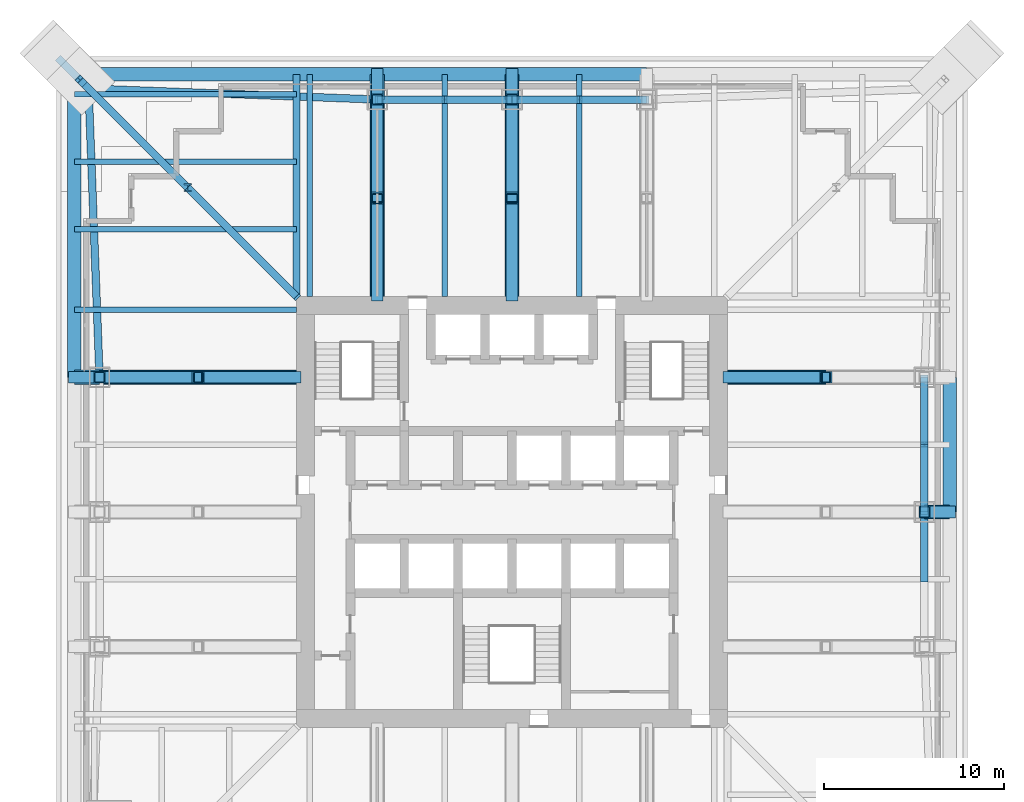
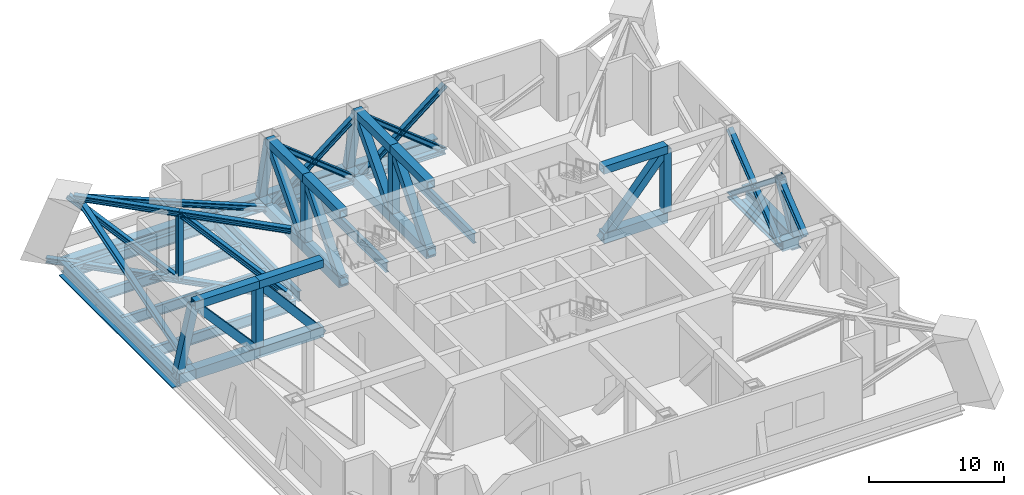
# One storey, part 3 of 10: 58 members, 13 beams.
"""IFC4 building model written with IfcOpenShell, lengths in metres."""

from ifc_helpers import new_model, si_unit, direction, frame, origin, origin_2d, place, context, subcontext, project, spatial, hollow_rectangle, i_section, extrude, clip, halfspace, material, material_profile, profile_set, type_object, element, save


model = new_model("IFC4")

# Units and contexts
model_context = context("Model", 3, precision=1e-05, world=origin(), true_north=direction((0.0, 1.0)))
body_context = subcontext(model_context, "Body", "Model", "MODEL_VIEW")
ifc_project = project(units=[si_unit("LENGTHUNIT", "METRE"), si_unit("AREAUNIT", "SQUARE_METRE"), si_unit("VOLUMEUNIT", "CUBIC_METRE"), si_unit("PLANEANGLEUNIT", "RADIAN"), si_unit("MASSUNIT", "GRAM", prefix="KILO")], contexts=[model_context])

# Site, building, storey
site_placement = place(None, origin())
site = spatial("IfcSite", under=ifc_project, at=site_placement, CompositionType="ELEMENT")
building_placement = place(site_placement, origin())
building = spatial("IfcBuilding", under=site, at=building_placement, Name="Tarangal Relay Tower", CompositionType="ELEMENT")
storey_placement = place(building_placement, frame((0.0, 0.0, 98.39990234375)))
storey = spatial("IfcBuildingStorey", under=building, at=storey_placement, Name="L19", CompositionType="ELEMENT", Elevation=98.39990234375)

# Members
ifc_material_1 = material(Name="Steel ASTM A992", Category="steel")
ifc_material_profile_1 = material_profile(ifc_material_1, i_section(OverallWidth=0.419189453125, OverallDepth=0.45458984375, WebThickness=0.042236328125, FlangeThickness=0.067626953125, at=origin_2d()), Name="W14X370")
ifc_profile_set_1 = profile_set([ifc_material_profile_1], Name="Steel ASTM A992")
member_type_1 = type_object("IfcMemberType", Name="Belt truss brace W14X370", PredefinedType="BRACE", material=ifc_profile_set_1)
for number, where, z_axis, x_axis, name in (
    (1, (-7.5, 22.965087890625, -0.699951171875), (0.782630390083, 0.0, 0.622486684612), (0.0, 1.0, 0.0), "Belt truss N L19 brace"),
    (2, (-3.75, 22.965087890625, 2.28271484375), (0.782630390083, 0.0, 0.622486684612), (0.0, 1.0, 0.0), "Belt truss N L19 brace"),
    (3, (0.0, 22.965087890625, -0.699951171875), (-0.782630390083, 0.0, 0.622486684612), (0.0, -1.0, 0.0), "Belt truss N L19 brace"),
    (4, (-3.75, 22.965087890625, 2.28271484375), (-0.782630390083, 0.0, 0.622486684612), (0.0, -1.0, 0.0), "Belt truss N L19 brace"),
    (5, (0.0, 22.965087890625, -0.699951171875), (0.782630390083, 0.0, 0.622486684612), (0.0, 1.0, 0.0), "Belt truss N L19 brace"),
    (6, (3.75, 22.965087890625, 2.28271484375), (0.782630390083, 0.0, 0.622486684612), (0.0, 1.0, 0.0), "Belt truss N L19 brace"),
    (7, (7.5, 22.965087890625, -0.699951171875), (-0.782630390083, 0.0, 0.622486684612), (0.0, -1.0, 0.0), "Belt truss N L19 brace"),
    (8, (3.75, 22.965087890625, 2.28271484375), (-0.782630390083, 0.0, 0.622486684612), (0.0, -1.0, 0.0), "Belt truss N L19 brace"),
):
    element("IfcMember", number, at=place(storey_placement, frame(where, z_axis=z_axis, x_axis=x_axis)), inside=storey, type_object=member_type_1, Name=name, PredefinedType="BRACE", context=body_context, shape_type="SweptSolid", body=[
        extrude(i_section(OverallWidth=0.419189453125, OverallDepth=0.45458984375, WebThickness=0.042236328125, FlangeThickness=0.067626953125, at=origin_2d()), origin(), (0.0, 0.0, 1.0), 4.79150390625),
    ])
member_1_placement = place(storey_placement, frame((-7.5, 22.965087890625, -0.699951171875), z_axis=(-0.931502338088, 0.035497655661, 0.36199904776), x_axis=(-0.038080321546, -0.999274681512, 0.0)))
element("IfcMember", 9, at=member_1_placement, inside=storey, type_object=member_type_1, Name="Belt truss N L19 end brace", PredefinedType="BRACE", context=body_context, shape_type="SweptSolid", body=[
    extrude(i_section(OverallWidth=0.419189453125, OverallDepth=0.45458984375, WebThickness=0.042236328125, FlangeThickness=0.067626953125, at=origin_2d()), origin(), (0.0, 0.0, 1.0), 16.478759765625),
])
for number, where, z_axis, x_axis, name in (
    (10, (22.965087890625, 7.5, -0.699951171875), (0.0, -0.782630390083, 0.622486684612), (1.0, 0.0, 0.0), "Belt truss E L19 brace"),
    (11, (22.965087890625, 3.75, 2.28271484375), (0.0, -0.782630390083, 0.622486684612), (1.0, 0.0, 0.0), "Belt truss E L19 brace"),
    (12, (22.965087890625, 0.0, -0.699951171875), (0.0, 0.782630390083, 0.622486684612), (-1.0, 0.0, 0.0), "Belt truss E L19 brace"),
    (13, (22.965087890625, 3.75, 2.28271484375), (0.0, 0.782630390083, 0.622486684612), (-1.0, 0.0, 0.0), "Belt truss E L19 brace"),
    (14, (22.965087890625, -3.75, 2.28271484375), (0.0, 0.782630390083, 0.622486684612), (-1.0, 0.0, 0.0), "Belt truss E L19 brace"),
):
    element("IfcMember", number, at=place(storey_placement, frame(where, z_axis=z_axis, x_axis=x_axis)), inside=storey, type_object=member_type_1, Name=name, PredefinedType="BRACE", context=body_context, shape_type="SweptSolid", body=[
        extrude(i_section(OverallWidth=0.419189453125, OverallDepth=0.45458984375, WebThickness=0.042236328125, FlangeThickness=0.067626953125, at=origin_2d()), origin(), (0.0, 0.0, 1.0), 4.79150390625),
    ])
member_2_placement = place(storey_placement, frame((-22.965087890625, 7.5, -0.699951171875), z_axis=(-0.035497655661, 0.931502338088, 0.36199904776), x_axis=(-0.999274681512, -0.038080321546, 0.0)))
element("IfcMember", 15, at=member_2_placement, inside=storey, type_object=member_type_1, Name="Belt truss W L19 end brace", PredefinedType="BRACE", context=body_context, shape_type="SweptSolid", body=[
    extrude(i_section(OverallWidth=0.419189453125, OverallDepth=0.45458984375, WebThickness=0.042236328125, FlangeThickness=0.067626953125, at=origin_2d()), origin(), (0.0, 0.0, 1.0), 16.478759765625),
])
ifc_material_profile_2 = material_profile(ifc_material_1, i_section(OverallWidth=0.421630859375, OverallDepth=0.46484375, WebThickness=0.044921875, FlangeThickness=0.072509765625, at=origin_2d()), Name="W14X398")
ifc_profile_set_2 = profile_set([ifc_material_profile_2], Name="Steel ASTM A992")
member_type_2 = type_object("IfcMemberType", Name="Belt truss chord W14X398", PredefinedType="CHORD", material=ifc_profile_set_2)
for number, where, z_axis, x_axis, name in (
    (16, (-7.5, 22.965087890625, -0.699951171875), (1.0, 0.0, 0.0), (0.0, 1.0, 0.0), "Belt truss N L19 bottom chord"),
    (17, (0.0, 22.965087890625, -0.699951171875), (1.0, 0.0, 0.0), (0.0, 1.0, 0.0), "Belt truss N L19 bottom chord"),
    (18, (22.965087890625, 7.5, -0.699951171875), (0.0, -1.0, 0.0), (1.0, 0.0, 0.0), "Belt truss E L19 bottom chord"),
):
    element("IfcMember", number, at=place(storey_placement, frame(where, z_axis=z_axis, x_axis=x_axis)), inside=storey, type_object=member_type_2, Name=name, PredefinedType="CHORD", context=body_context, shape_type="SweptSolid", body=[
        extrude(i_section(OverallWidth=0.421630859375, OverallDepth=0.46484375, WebThickness=0.044921875, FlangeThickness=0.072509765625, at=origin_2d()), origin(), (0.0, 0.0, 1.0), 7.5),
    ])

# Beams
ifc_material_profile_3 = material_profile(ifc_material_1, i_section(OverallWidth=0.3046875, OverallDepth=0.911865234375, WebThickness=0.015869140625, FlangeThickness=0.02392578125, at=origin_2d()), Name="W36X150")
ifc_profile_set_3 = profile_set([ifc_material_profile_3], Name="Steel ASTM A992")
beam_type_1 = type_object("IfcBeamType", Name="Corner beam W36X150", PredefinedType="JOIST", material=ifc_profile_set_3)
for number, where, z_axis, x_axis, name in (
    (19, (-12.0, 15.75, -0.705810546875), (-1.0, 0.0, 0.0), (0.0, -1.0, 0.0), "Corner beam CB7 W L19"),
    (20, (-12.0, 19.5, -0.705810546875), (-1.0, 0.0, 0.0), (0.0, -1.0, 0.0), "Corner beam CB7 W L19"),
    (21, (-12.0, 23.25, -0.705810546875), (-1.0, 0.0, 0.0), (0.0, -1.0, 0.0), "Corner beam CB7 W L19"),
):
    element("IfcBeam", number, at=place(storey_placement, frame(where, z_axis=z_axis, x_axis=x_axis)), inside=storey, type_object=beam_type_1, Name=name, PredefinedType="JOIST", context=body_context, shape_type="SweptSolid", body=[
        extrude(i_section(OverallWidth=0.3046875, OverallDepth=0.911865234375, WebThickness=0.015869140625, FlangeThickness=0.02392578125, at=origin_2d()), origin(), (0.0, 0.0, 1.0), 12.364990234375),
    ])
ifc_material_profile_4 = material_profile(ifc_material_1, i_section(OverallWidth=0.40380859375, OverallDepth=1.036376953125, WebThickness=0.031005859375, FlangeThickness=0.0458984375, at=origin_2d()), Name="W40X331")
ifc_profile_set_4 = profile_set([ifc_material_profile_4], Name="Steel ASTM A992")
beam_type_2 = type_object("IfcBeamType", Name="Corner girder W40X331", PredefinedType="BEAM", material=ifc_profile_set_4)
beam_1_placement = place(storey_placement, frame((-12.0, 12.0, -0.76806640625), z_axis=(0.0, 1.0, 0.0), x_axis=(-1.0, 0.0, 0.0)))
element("IfcBeam", 22, at=beam_1_placement, inside=storey, type_object=beam_type_2, Name="Corner girder CG2 W L19", PredefinedType="BEAM", context=body_context, shape_type="SweptSolid", body=[
    extrude(i_section(OverallWidth=0.40380859375, OverallDepth=1.036376953125, WebThickness=0.031005859375, FlangeThickness=0.0458984375, at=origin_2d()), origin(), (0.0, 0.0, 1.0), 12.364990234375),
])
ifc_material_2 = material(Name="Steel ASTM A572 Grade 50", Category="steel")
ifc_material_profile_5 = material_profile(ifc_material_2, i_section(OverallWidth=0.75, OverallDepth=1.39990234375, WebThickness=0.030029296875, FlangeThickness=0.10009765625, at=origin_2d()), Name="PG1400X750X100X30")
ifc_profile_set_5 = profile_set([ifc_material_profile_5], Name="Steel ASTM A572 Grade 50")
beam_type_3 = type_object("IfcBeamType", Name="Edge girder PG1400X750X100X30", PredefinedType="SPANDREL", material=ifc_profile_set_5)
beam_2_placement = place(storey_placement, frame((-24.35009765625, 24.364990234375, -0.949951171875), z_axis=(1.0, 0.0, 0.0), x_axis=(0.0, 1.0, 0.0)))
element("IfcBeam", 23, at=beam_2_placement, inside=storey, type_object=beam_type_3, Name="Edge girder EG11 N L19", PredefinedType="SPANDREL", context=body_context, shape_type="SweptSolid", body=[
    extrude(i_section(OverallWidth=0.75, OverallDepth=1.39990234375, WebThickness=0.030029296875, FlangeThickness=0.10009765625, at=origin_2d()), origin(), (0.0, 0.0, 1.0), 16.85009765625),
])
for number, where, z_axis, x_axis, name in (
    (24, (-7.5, 24.364990234375, -0.949951171875), (1.0, 0.0, 0.0), (0.0, 1.0, 0.0), "Edge girder EG11 N L19"),
    (25, (0.0, 24.364990234375, -0.949951171875), (1.0, 0.0, 0.0), (0.0, 1.0, 0.0), "Edge girder EG11 N L19"),
    (26, (24.364990234375, 7.5, -0.949951171875), (0.0, -1.0, 0.0), (1.0, 0.0, 0.0), "Edge girder EG11 E L19"),
):
    element("IfcBeam", number, at=place(storey_placement, frame(where, z_axis=z_axis, x_axis=x_axis)), inside=storey, type_object=beam_type_3, Name=name, PredefinedType="SPANDREL", context=body_context, shape_type="SweptSolid", body=[
        extrude(i_section(OverallWidth=0.75, OverallDepth=1.39990234375, WebThickness=0.030029296875, FlangeThickness=0.10009765625, at=origin_2d()), origin(), (0.0, 0.0, 1.0), 7.5),
    ])
beam_3_placement = place(storey_placement, frame((-24.364990234375, 7.5, -0.949951171875), z_axis=(0.0, 1.0, 0.0), x_axis=(-1.0, 0.0, 0.0)))
element("IfcBeam", 27, at=beam_3_placement, inside=storey, type_object=beam_type_3, Name="Edge girder EG11 W L19", PredefinedType="SPANDREL", context=body_context, shape_type="SweptSolid", body=[
    extrude(i_section(OverallWidth=0.75, OverallDepth=1.39990234375, WebThickness=0.030029296875, FlangeThickness=0.10009765625, at=origin_2d()), origin(), (0.0, 0.0, 1.0), 16.85009765625),
])
ifc_material_profile_6 = material_profile(ifc_material_1, i_section(OverallWidth=0.307373046875, OverallDepth=0.927001953125, WebThickness=0.019287109375, FlangeThickness=0.031982421875, at=origin_2d()), Name="W36X194")
ifc_profile_set_6 = profile_set([ifc_material_profile_6], Name="Steel ASTM A992")
beam_type_4 = type_object("IfcBeamType", Name="Floor beam W36X194", PredefinedType="BEAM", material=ifc_profile_set_6)
for number, where, z_axis, x_axis, name in (
    (28, (-11.25, 12.0, -0.71337890625), (0.0, 1.0, 0.0), (-1.0, 0.0, 0.0), "Floor beam RB6 N L19"),
    (29, (-3.75, 12.0, -0.71337890625), (0.0, 1.0, 0.0), (-1.0, 0.0, 0.0), "Floor beam RB6 N L19"),
    (30, (3.75, 12.0, -0.71337890625), (0.0, 1.0, 0.0), (-1.0, 0.0, 0.0), "Floor beam RB6 N L19"),
    (31, (-12.0, 11.25, -0.71337890625), (-1.0, 0.0, 0.0), (0.0, -1.0, 0.0), "Floor beam RB6 W L19"),
):
    element("IfcBeam", number, at=place(storey_placement, frame(where, z_axis=z_axis, x_axis=x_axis)), inside=storey, type_object=beam_type_4, Name=name, PredefinedType="BEAM", context=body_context, shape_type="SweptSolid", body=[
        extrude(i_section(OverallWidth=0.307373046875, OverallDepth=0.927001953125, WebThickness=0.019287109375, FlangeThickness=0.031982421875, at=origin_2d()), origin(), (0.0, 0.0, 1.0), 12.364990234375),
    ])

# Members
ifc_material_profile_7 = material_profile(ifc_material_1, i_section(OverallWidth=0.4267578125, OverallDepth=0.482666015625, WebThickness=0.05126953125, FlangeThickness=0.08154296875, at=origin_2d()), Name="W14X455")
ifc_profile_set_7 = profile_set([ifc_material_profile_7], Name="Steel ASTM A992")
member_type_3 = type_object("IfcMemberType", Name="Outrigger chord W14X455", PredefinedType="CHORD", material=ifc_profile_set_7)
member_3_placement = place(storey_placement, frame((-12.0, 12.0, -0.4912109375), z_axis=(-0.707106781187, 0.707106781187, 0.0), x_axis=(-0.707106781187, -0.707106781187, 0.0)))
element("IfcMember", 32, at=member_3_placement, inside=storey, type_object=member_type_3, Name="Outrigger NW L19 bottom chord", PredefinedType="CHORD", context=body_context, shape_type="SweptSolid", body=[
    extrude(i_section(OverallWidth=0.4267578125, OverallDepth=0.482666015625, WebThickness=0.05126953125, FlangeThickness=0.08154296875, at=origin_2d()), origin(), (0.0, 0.0, 1.0), 8.563232421875),
])
member_4_placement = place(storey_placement, frame((-18.05517578125, 18.05517578125, -0.4912109375), z_axis=(-0.707106781187, 0.707106781187, 0.0), x_axis=(-0.707106781187, -0.707106781187, 0.0)))
element("IfcMember", 33, at=member_4_placement, inside=storey, type_object=member_type_3, Name="Outrigger NW L19 bottom chord", PredefinedType="CHORD", context=body_context, shape_type="Clipping", body=[
    clip(extrude(i_section(OverallWidth=0.4267578125, OverallDepth=0.482666015625, WebThickness=0.05126953125, FlangeThickness=0.08154296875, at=origin_2d()), origin(), (0.0, 0.0, 1.0), 10.528564453125), halfspace(frame((0.0, 0.0, 10.23046875)), False)),
])
member_5_placement = place(storey_placement, frame((-12.0, 12.0, 5.558837890625), z_axis=(-0.707106781187, 0.707106781187, 0.0), x_axis=(-0.707106781187, -0.707106781187, 0.0)))
element("IfcMember", 34, at=member_5_placement, inside=storey, type_object=member_type_3, Name="Outrigger NW L19 top chord", PredefinedType="CHORD", context=body_context, shape_type="SweptSolid", body=[
    extrude(i_section(OverallWidth=0.4267578125, OverallDepth=0.482666015625, WebThickness=0.05126953125, FlangeThickness=0.08154296875, at=origin_2d()), origin(), (0.0, 0.0, 1.0), 8.563232421875),
])
member_6_placement = place(storey_placement, frame((-18.05517578125, 18.05517578125, 5.558837890625), z_axis=(-0.707106781187, 0.707106781187, 0.0), x_axis=(-0.707106781187, -0.707106781187, 0.0)))
element("IfcMember", 35, at=member_6_placement, inside=storey, type_object=member_type_3, Name="Outrigger NW L19 top chord", PredefinedType="CHORD", context=body_context, shape_type="Clipping", body=[
    clip(extrude(i_section(OverallWidth=0.4267578125, OverallDepth=0.482666015625, WebThickness=0.05126953125, FlangeThickness=0.08154296875, at=origin_2d()), origin(), (0.0, 0.0, 1.0), 8.563232421875), halfspace(frame((0.0, 0.0, 8.109130859375)), False)),
])
ifc_material_profile_8 = material_profile(ifc_material_1, i_section(OverallWidth=0.41650390625, OverallDepth=0.444580078125, WebThickness=0.0390625, FlangeThickness=0.062744140625, at=origin_2d()), Name="W14X342")
ifc_profile_set_8 = profile_set([ifc_material_profile_8], Name="Steel ASTM A992")
member_type_4 = type_object("IfcMemberType", Name="Outrigger web W14X342", PredefinedType="STRUT", material=ifc_profile_set_8)
member_7_placement = place(storey_placement, frame((-18.05517578125, 18.05517578125, -0.4912109375), z_axis=(0.0, 0.0, 1.0), x_axis=(1.0, 0.0, 0.0)))
element("IfcMember", 36, at=member_7_placement, inside=storey, type_object=member_type_4, Name="Outrigger NW L19 vertical", PredefinedType="STRUT", context=body_context, shape_type="SweptSolid", body=[
    extrude(i_section(OverallWidth=0.41650390625, OverallDepth=0.444580078125, WebThickness=0.0390625, FlangeThickness=0.062744140625, at=origin_2d()), origin(), (0.0, 0.0, 1.0), 6.050048828125),
])
for number, where, z_axis, x_axis, name in (
    (37, (-12.0, 12.0, -0.4912109375), (-0.577513217792, 0.577513217792, 0.577024233937), (-0.707106781187, -0.707106781187, 0.0), "Outrigger NW L19 diagonal"),
    (38, (-18.05517578125, 18.05517578125, -0.4912109375), (-0.577513217792, 0.577513217792, 0.577024233937), (-0.707106781187, -0.707106781187, 0.0), "Outrigger NW L19 diagonal"),
):
    element("IfcMember", number, at=place(storey_placement, frame(where, z_axis=z_axis, x_axis=x_axis)), inside=storey, type_object=member_type_4, Name=name, PredefinedType="STRUT", context=body_context, shape_type="SweptSolid", body=[
        extrude(i_section(OverallWidth=0.41650390625, OverallDepth=0.444580078125, WebThickness=0.0390625, FlangeThickness=0.062744140625, at=origin_2d()), origin(), (0.0, 0.0, 1.0), 10.48486328125),
    ])
ifc_material_3 = material(Name="Steel ASTM A572 Grade 42", Category="steel")
ifc_material_profile_9 = material_profile(ifc_material_3, hollow_rectangle(XDim=0.800048828125, YDim=0.89990234375, WallThickness=0.125, at=origin_2d()), Name="BOX900X800X125")
ifc_profile_set_9 = profile_set([ifc_material_profile_9], Name="Steel ASTM A572 Grade 42")
member_type_5 = type_object("IfcMemberType", Name="Transfer truss chord BOX900X800X125", PredefinedType="CHORD", material=ifc_profile_set_9)
member_8_placement = place(storey_placement, frame((-7.5, 12.0, -0.699951171875), z_axis=(0.0, 1.0, 0.0), x_axis=(-1.0, 0.0, 0.0)))
element("IfcMember", 39, at=member_8_placement, inside=storey, type_object=member_type_5, Name="Transfer truss N -7.5 L19 bottom chord", PredefinedType="CHORD", context=body_context, shape_type="SweptSolid", body=[
    extrude(hollow_rectangle(XDim=0.800048828125, YDim=0.89990234375, WallThickness=0.125, at=origin_2d()), origin(), (0.0, 0.0, 1.0), 5.482421875),
])
member_9_placement = place(storey_placement, frame((-7.5, 17.482421875, -0.699951171875), z_axis=(0.0, 1.0, 0.0), x_axis=(-1.0, 0.0, 0.0)))
element("IfcMember", 40, at=member_9_placement, inside=storey, type_object=member_type_5, Name="Transfer truss N -7.5 L19 bottom chord", PredefinedType="CHORD", context=body_context, shape_type="SweptSolid", body=[
    extrude(hollow_rectangle(XDim=0.800048828125, YDim=0.89990234375, WallThickness=0.125, at=origin_2d()), origin(), (0.0, 0.0, 1.0), 5.482666015625),
])
member_10_placement = place(storey_placement, frame((-7.5, 22.965087890625, -0.699951171875), z_axis=(0.0, 1.0, 0.0), x_axis=(-1.0, 0.0, 0.0)))
element("IfcMember", 41, at=member_10_placement, inside=storey, type_object=member_type_5, Name="Transfer truss N -7.5 L19 bottom chord", PredefinedType="CHORD", context=body_context, shape_type="SweptSolid", body=[
    extrude(hollow_rectangle(XDim=0.800048828125, YDim=0.89990234375, WallThickness=0.125, at=origin_2d()), origin(), (0.0, 0.0, 1.0), 1.39990234375),
])
member_11_placement = place(storey_placement, frame((0.0, 12.0, -0.699951171875), z_axis=(0.0, 1.0, 0.0), x_axis=(-1.0, 0.0, 0.0)))
element("IfcMember", 42, at=member_11_placement, inside=storey, type_object=member_type_5, Name="Transfer truss N +0.0 L19 bottom chord", PredefinedType="CHORD", context=body_context, shape_type="SweptSolid", body=[
    extrude(hollow_rectangle(XDim=0.800048828125, YDim=0.89990234375, WallThickness=0.125, at=origin_2d()), origin(), (0.0, 0.0, 1.0), 5.482421875),
])
member_12_placement = place(storey_placement, frame((0.0, 17.482421875, -0.699951171875), z_axis=(0.0, 1.0, 0.0), x_axis=(-1.0, 0.0, 0.0)))
element("IfcMember", 43, at=member_12_placement, inside=storey, type_object=member_type_5, Name="Transfer truss N +0.0 L19 bottom chord", PredefinedType="CHORD", context=body_context, shape_type="SweptSolid", body=[
    extrude(hollow_rectangle(XDim=0.800048828125, YDim=0.89990234375, WallThickness=0.125, at=origin_2d()), origin(), (0.0, 0.0, 1.0), 5.482666015625),
])
member_13_placement = place(storey_placement, frame((0.0, 22.965087890625, -0.699951171875), z_axis=(0.0, 1.0, 0.0), x_axis=(-1.0, 0.0, 0.0)))
element("IfcMember", 44, at=member_13_placement, inside=storey, type_object=member_type_5, Name="Transfer truss N +0.0 L19 bottom chord", PredefinedType="CHORD", context=body_context, shape_type="SweptSolid", body=[
    extrude(hollow_rectangle(XDim=0.800048828125, YDim=0.89990234375, WallThickness=0.125, at=origin_2d()), origin(), (0.0, 0.0, 1.0), 1.39990234375),
])
member_14_placement = place(storey_placement, frame((12.0, 7.5, -0.699951171875), z_axis=(1.0, 0.0, 0.0), x_axis=(0.0, 1.0, 0.0)))
element("IfcMember", 45, at=member_14_placement, inside=storey, type_object=member_type_5, Name="Transfer truss E -7.5 L19 bottom chord", PredefinedType="CHORD", context=body_context, shape_type="SweptSolid", body=[
    extrude(hollow_rectangle(XDim=0.800048828125, YDim=0.89990234375, WallThickness=0.125, at=origin_2d()), origin(), (0.0, 0.0, 1.0), 5.482421875),
])
member_15_placement = place(storey_placement, frame((22.965087890625, 0.0, -0.699951171875), z_axis=(1.0, 0.0, 0.0), x_axis=(0.0, 1.0, 0.0)))
element("IfcMember", 46, at=member_15_placement, inside=storey, type_object=member_type_5, Name="Transfer truss E +0.0 L19 bottom chord", PredefinedType="CHORD", context=body_context, shape_type="SweptSolid", body=[
    extrude(hollow_rectangle(XDim=0.800048828125, YDim=0.89990234375, WallThickness=0.125, at=origin_2d()), origin(), (0.0, 0.0, 1.0), 1.39990234375),
])
member_16_placement = place(storey_placement, frame((-12.0, 7.5, -0.699951171875), z_axis=(-1.0, 0.0, 0.0), x_axis=(0.0, -1.0, 0.0)))
element("IfcMember", 47, at=member_16_placement, inside=storey, type_object=member_type_5, Name="Transfer truss W +7.5 L19 bottom chord", PredefinedType="CHORD", context=body_context, shape_type="SweptSolid", body=[
    extrude(hollow_rectangle(XDim=0.800048828125, YDim=0.89990234375, WallThickness=0.125, at=origin_2d()), origin(), (0.0, 0.0, 1.0), 5.482421875),
])
member_17_placement = place(storey_placement, frame((-17.482421875, 7.5, -0.699951171875), z_axis=(-1.0, 0.0, 0.0), x_axis=(0.0, -1.0, 0.0)))
element("IfcMember", 48, at=member_17_placement, inside=storey, type_object=member_type_5, Name="Transfer truss W +7.5 L19 bottom chord", PredefinedType="CHORD", context=body_context, shape_type="SweptSolid", body=[
    extrude(hollow_rectangle(XDim=0.800048828125, YDim=0.89990234375, WallThickness=0.125, at=origin_2d()), origin(), (0.0, 0.0, 1.0), 5.482666015625),
])
member_18_placement = place(storey_placement, frame((-22.965087890625, 7.5, -0.699951171875), z_axis=(-1.0, 0.0, 0.0), x_axis=(0.0, -1.0, 0.0)))
element("IfcMember", 49, at=member_18_placement, inside=storey, type_object=member_type_5, Name="Transfer truss W +7.5 L19 bottom chord", PredefinedType="CHORD", context=body_context, shape_type="SweptSolid", body=[
    extrude(hollow_rectangle(XDim=0.800048828125, YDim=0.89990234375, WallThickness=0.125, at=origin_2d()), origin(), (0.0, 0.0, 1.0), 1.39990234375),
])
ifc_material_profile_10 = material_profile(ifc_material_2, hollow_rectangle(XDim=0.699951171875, YDim=0.699951171875, WallThickness=0.074951171875, at=origin_2d()), Name="BOX700X700X75")
ifc_profile_set_10 = profile_set([ifc_material_profile_10], Name="Steel ASTM A572 Grade 50")
member_type_6 = type_object("IfcMemberType", Name="Transfer truss top chord BOX700X700X75", PredefinedType="CHORD", material=ifc_profile_set_10)
member_19_placement = place(storey_placement, frame((-7.5, 12.0, 5.4501953125), z_axis=(0.0, 1.0, 0.0), x_axis=(-1.0, 0.0, 0.0)))
element("IfcMember", 50, at=member_19_placement, inside=storey, type_object=member_type_6, Name="Transfer truss N -7.5 L19 top chord", PredefinedType="CHORD", context=body_context, shape_type="SweptSolid", body=[
    extrude(hollow_rectangle(XDim=0.699951171875, YDim=0.699951171875, WallThickness=0.074951171875, at=origin_2d()), origin(), (0.0, 0.0, 1.0), 5.482421875),
])
member_20_placement = place(storey_placement, frame((-7.5, 17.482421875, 5.4501953125), z_axis=(0.0, 1.0, 0.0), x_axis=(-1.0, 0.0, 0.0)))
element("IfcMember", 51, at=member_20_placement, inside=storey, type_object=member_type_6, Name="Transfer truss N -7.5 L19 top chord", PredefinedType="CHORD", context=body_context, shape_type="SweptSolid", body=[
    extrude(hollow_rectangle(XDim=0.699951171875, YDim=0.699951171875, WallThickness=0.074951171875, at=origin_2d()), origin(), (0.0, 0.0, 1.0), 5.482666015625),
])
member_21_placement = place(storey_placement, frame((0.0, 12.0, 5.4501953125), z_axis=(0.0, 1.0, 0.0), x_axis=(-1.0, 0.0, 0.0)))
element("IfcMember", 52, at=member_21_placement, inside=storey, type_object=member_type_6, Name="Transfer truss N +0.0 L19 top chord", PredefinedType="CHORD", context=body_context, shape_type="SweptSolid", body=[
    extrude(hollow_rectangle(XDim=0.699951171875, YDim=0.699951171875, WallThickness=0.074951171875, at=origin_2d()), origin(), (0.0, 0.0, 1.0), 5.482421875),
])
member_22_placement = place(storey_placement, frame((0.0, 17.482421875, 5.4501953125), z_axis=(0.0, 1.0, 0.0), x_axis=(-1.0, 0.0, 0.0)))
element("IfcMember", 53, at=member_22_placement, inside=storey, type_object=member_type_6, Name="Transfer truss N +0.0 L19 top chord", PredefinedType="CHORD", context=body_context, shape_type="SweptSolid", body=[
    extrude(hollow_rectangle(XDim=0.699951171875, YDim=0.699951171875, WallThickness=0.074951171875, at=origin_2d()), origin(), (0.0, 0.0, 1.0), 5.482666015625),
])
for number, where, z_axis, x_axis, name in (
    (54, (12.0, 7.5, 5.4501953125), (1.0, 0.0, 0.0), (0.0, 1.0, 0.0), "Transfer truss E -7.5 L19 top chord"),
    (55, (-12.0, 7.5, 5.4501953125), (-1.0, 0.0, 0.0), (0.0, -1.0, 0.0), "Transfer truss W +7.5 L19 top chord"),
):
    element("IfcMember", number, at=place(storey_placement, frame(where, z_axis=z_axis, x_axis=x_axis)), inside=storey, type_object=member_type_6, Name=name, PredefinedType="CHORD", context=body_context, shape_type="SweptSolid", body=[
        extrude(hollow_rectangle(XDim=0.699951171875, YDim=0.699951171875, WallThickness=0.074951171875, at=origin_2d()), origin(), (0.0, 0.0, 1.0), 5.482421875),
    ])
member_23_placement = place(storey_placement, frame((-17.482421875, 7.5, 5.4501953125), z_axis=(-1.0, 0.0, 0.0), x_axis=(0.0, -1.0, 0.0)))
element("IfcMember", 56, at=member_23_placement, inside=storey, type_object=member_type_6, Name="Transfer truss W +7.5 L19 top chord", PredefinedType="CHORD", context=body_context, shape_type="SweptSolid", body=[
    extrude(hollow_rectangle(XDim=0.699951171875, YDim=0.699951171875, WallThickness=0.074951171875, at=origin_2d()), origin(), (0.0, 0.0, 1.0), 5.482666015625),
])
ifc_material_profile_11 = material_profile(ifc_material_2, hollow_rectangle(XDim=0.64990234375, YDim=0.64990234375, WallThickness=0.06005859375, at=origin_2d()), Name="BOX650X650X60")
ifc_profile_set_11 = profile_set([ifc_material_profile_11], Name="Steel ASTM A572 Grade 50")
member_type_7 = type_object("IfcMemberType", Name="Transfer truss web BOX650X650X60", PredefinedType="STRUT", material=ifc_profile_set_11)
member_24_placement = place(storey_placement, frame((-7.5, 17.482421875, -0.25), z_axis=(0.0, 0.0, 1.0), x_axis=(1.0, 0.0, 0.0)))
element("IfcMember", 57, at=member_24_placement, inside=storey, type_object=member_type_7, Name="Transfer truss N -7.5 L19 vertical", PredefinedType="STRUT", context=body_context, shape_type="SweptSolid", body=[
    extrude(hollow_rectangle(XDim=0.64990234375, YDim=0.64990234375, WallThickness=0.06005859375, at=origin_2d()), origin(), (0.0, 0.0, 1.0), 5.7001953125),
])
member_25_placement = place(storey_placement, frame((-7.5, 12.0, -0.963623046875), z_axis=(0.0, 0.649756611165, 0.760142319732), x_axis=(-1.0, 0.0, 0.0)))
element("IfcMember", 58, at=member_25_placement, inside=storey, type_object=member_type_7, Name="Transfer truss N -7.5 L19 diagonal", PredefinedType="STRUT", context=body_context, shape_type="SweptSolid", body=[
    extrude(hollow_rectangle(XDim=0.64990234375, YDim=0.64990234375, WallThickness=0.06005859375, at=origin_2d()), origin(), (0.0, 0.0, 1.0), 8.437744140625),
])
member_26_placement = place(storey_placement, frame((-7.5, 17.482421875, -0.699951171875), z_axis=(0.0, 0.665439087688, 0.746452155584), x_axis=(-1.0, 0.0, 0.0)))
element("IfcMember", 59, at=member_26_placement, inside=storey, type_object=member_type_7, Name="Transfer truss N -7.5 L19 diagonal", PredefinedType="STRUT", context=body_context, shape_type="SweptSolid", body=[
    extrude(hollow_rectangle(XDim=0.64990234375, YDim=0.64990234375, WallThickness=0.06005859375, at=origin_2d()), origin(), (0.0, 0.0, 1.0), 8.2392578125),
])
member_27_placement = place(storey_placement, frame((-7.5, 24.364990234375, -0.699951171875), z_axis=(0.0, -0.221943976449, 0.975059419378), x_axis=(1.0, 0.0, 0.0)))
element("IfcMember", 60, at=member_27_placement, inside=storey, type_object=member_type_7, Name="Transfer truss N -7.5 L19 end diagonal", PredefinedType="STRUT", context=body_context, shape_type="SweptSolid", body=[
    extrude(hollow_rectangle(XDim=0.64990234375, YDim=0.64990234375, WallThickness=0.06005859375, at=origin_2d()), origin(), (0.0, 0.0, 1.0), 6.307373046875),
])
member_28_placement = place(storey_placement, frame((0.0, 17.482421875, -0.25), z_axis=(0.0, 0.0, 1.0), x_axis=(1.0, 0.0, 0.0)))
element("IfcMember", 61, at=member_28_placement, inside=storey, type_object=member_type_7, Name="Transfer truss N +0.0 L19 vertical", PredefinedType="STRUT", context=body_context, shape_type="SweptSolid", body=[
    extrude(hollow_rectangle(XDim=0.64990234375, YDim=0.64990234375, WallThickness=0.06005859375, at=origin_2d()), origin(), (0.0, 0.0, 1.0), 5.7001953125),
])
member_29_placement = place(storey_placement, frame((0.0, 12.0, -0.963623046875), z_axis=(0.0, 0.649756611165, 0.760142319732), x_axis=(-1.0, 0.0, 0.0)))
element("IfcMember", 62, at=member_29_placement, inside=storey, type_object=member_type_7, Name="Transfer truss N +0.0 L19 diagonal", PredefinedType="STRUT", context=body_context, shape_type="SweptSolid", body=[
    extrude(hollow_rectangle(XDim=0.64990234375, YDim=0.64990234375, WallThickness=0.06005859375, at=origin_2d()), origin(), (0.0, 0.0, 1.0), 8.437744140625),
])
member_30_placement = place(storey_placement, frame((0.0, 17.482421875, -0.699951171875), z_axis=(0.0, 0.665439087688, 0.746452155584), x_axis=(-1.0, 0.0, 0.0)))
element("IfcMember", 63, at=member_30_placement, inside=storey, type_object=member_type_7, Name="Transfer truss N +0.0 L19 diagonal", PredefinedType="STRUT", context=body_context, shape_type="SweptSolid", body=[
    extrude(hollow_rectangle(XDim=0.64990234375, YDim=0.64990234375, WallThickness=0.06005859375, at=origin_2d()), origin(), (0.0, 0.0, 1.0), 8.2392578125),
])
member_31_placement = place(storey_placement, frame((0.0, 24.364990234375, -0.699951171875), z_axis=(0.0, -0.221943976449, 0.975059419378), x_axis=(1.0, 0.0, 0.0)))
element("IfcMember", 64, at=member_31_placement, inside=storey, type_object=member_type_7, Name="Transfer truss N +0.0 L19 end diagonal", PredefinedType="STRUT", context=body_context, shape_type="SweptSolid", body=[
    extrude(hollow_rectangle(XDim=0.64990234375, YDim=0.64990234375, WallThickness=0.06005859375, at=origin_2d()), origin(), (0.0, 0.0, 1.0), 6.307373046875),
])
member_32_placement = place(storey_placement, frame((17.482421875, 7.5, -0.25), z_axis=(0.0, 0.0, 1.0), x_axis=(1.0, 0.0, 0.0)))
element("IfcMember", 65, at=member_32_placement, inside=storey, type_object=member_type_7, Name="Transfer truss E -7.5 L19 vertical", PredefinedType="STRUT", context=body_context, shape_type="SweptSolid", body=[
    extrude(hollow_rectangle(XDim=0.64990234375, YDim=0.64990234375, WallThickness=0.06005859375, at=origin_2d()), origin(), (0.0, 0.0, 1.0), 5.7001953125),
])
member_33_placement = place(storey_placement, frame((12.0, 7.5, -0.963623046875), z_axis=(0.649756611165, 0.0, 0.760142319732), x_axis=(0.0, 1.0, 0.0)))
element("IfcMember", 66, at=member_33_placement, inside=storey, type_object=member_type_7, Name="Transfer truss E -7.5 L19 diagonal", PredefinedType="STRUT", context=body_context, shape_type="SweptSolid", body=[
    extrude(hollow_rectangle(XDim=0.64990234375, YDim=0.64990234375, WallThickness=0.06005859375, at=origin_2d()), origin(), (0.0, 0.0, 1.0), 8.437744140625),
])
member_34_placement = place(storey_placement, frame((24.364990234375, 0.0, -0.699951171875), z_axis=(-0.221943976449, 0.0, 0.975059419378), x_axis=(0.0, -1.0, 0.0)))
element("IfcMember", 67, at=member_34_placement, inside=storey, type_object=member_type_7, Name="Transfer truss E +0.0 L19 end diagonal", PredefinedType="STRUT", context=body_context, shape_type="SweptSolid", body=[
    extrude(hollow_rectangle(XDim=0.64990234375, YDim=0.64990234375, WallThickness=0.06005859375, at=origin_2d()), origin(), (0.0, 0.0, 1.0), 6.307373046875),
])
member_35_placement = place(storey_placement, frame((-17.482421875, 7.5, -0.25), z_axis=(0.0, 0.0, 1.0), x_axis=(1.0, 0.0, 0.0)))
element("IfcMember", 68, at=member_35_placement, inside=storey, type_object=member_type_7, Name="Transfer truss W +7.5 L19 vertical", PredefinedType="STRUT", context=body_context, shape_type="SweptSolid", body=[
    extrude(hollow_rectangle(XDim=0.64990234375, YDim=0.64990234375, WallThickness=0.06005859375, at=origin_2d()), origin(), (0.0, 0.0, 1.0), 5.7001953125),
])
member_36_placement = place(storey_placement, frame((-12.0, 7.5, -0.963623046875), z_axis=(-0.649756611165, 0.0, 0.760142319732), x_axis=(0.0, -1.0, 0.0)))
element("IfcMember", 69, at=member_36_placement, inside=storey, type_object=member_type_7, Name="Transfer truss W +7.5 L19 diagonal", PredefinedType="STRUT", context=body_context, shape_type="SweptSolid", body=[
    extrude(hollow_rectangle(XDim=0.64990234375, YDim=0.64990234375, WallThickness=0.06005859375, at=origin_2d()), origin(), (0.0, 0.0, 1.0), 8.437744140625),
])
member_37_placement = place(storey_placement, frame((-17.482421875, 7.5, -0.699951171875), z_axis=(-0.665439087688, 0.0, 0.746452155584), x_axis=(0.0, -1.0, 0.0)))
element("IfcMember", 70, at=member_37_placement, inside=storey, type_object=member_type_7, Name="Transfer truss W +7.5 L19 diagonal", PredefinedType="STRUT", context=body_context, shape_type="SweptSolid", body=[
    extrude(hollow_rectangle(XDim=0.64990234375, YDim=0.64990234375, WallThickness=0.06005859375, at=origin_2d()), origin(), (0.0, 0.0, 1.0), 8.2392578125),
])
member_38_placement = place(storey_placement, frame((-24.364990234375, 7.5, -0.699951171875), z_axis=(0.221943976449, 0.0, 0.975059419378), x_axis=(0.0, 1.0, 0.0)))
element("IfcMember", 71, at=member_38_placement, inside=storey, type_object=member_type_7, Name="Transfer truss W +7.5 L19 end diagonal", PredefinedType="STRUT", context=body_context, shape_type="SweptSolid", body=[
    extrude(hollow_rectangle(XDim=0.64990234375, YDim=0.64990234375, WallThickness=0.06005859375, at=origin_2d()), origin(), (0.0, 0.0, 1.0), 6.307373046875),
])

save(model, "model.ifc")
